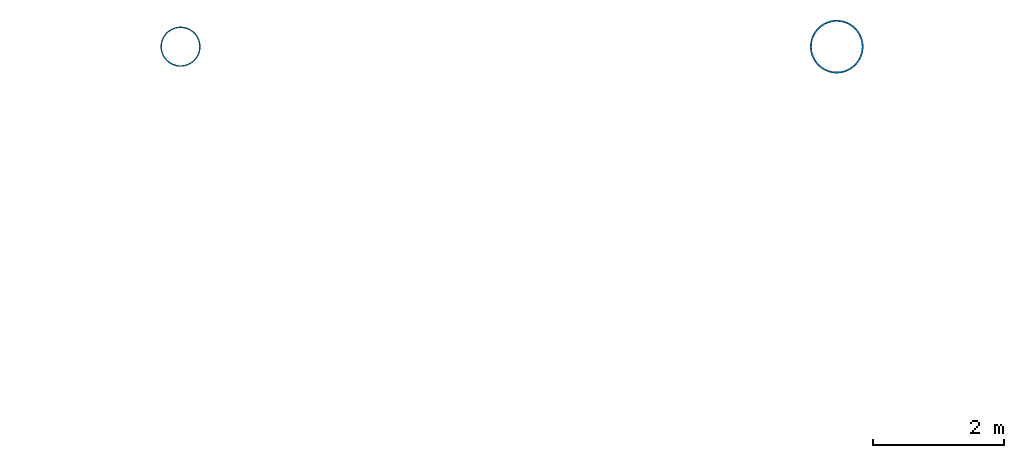
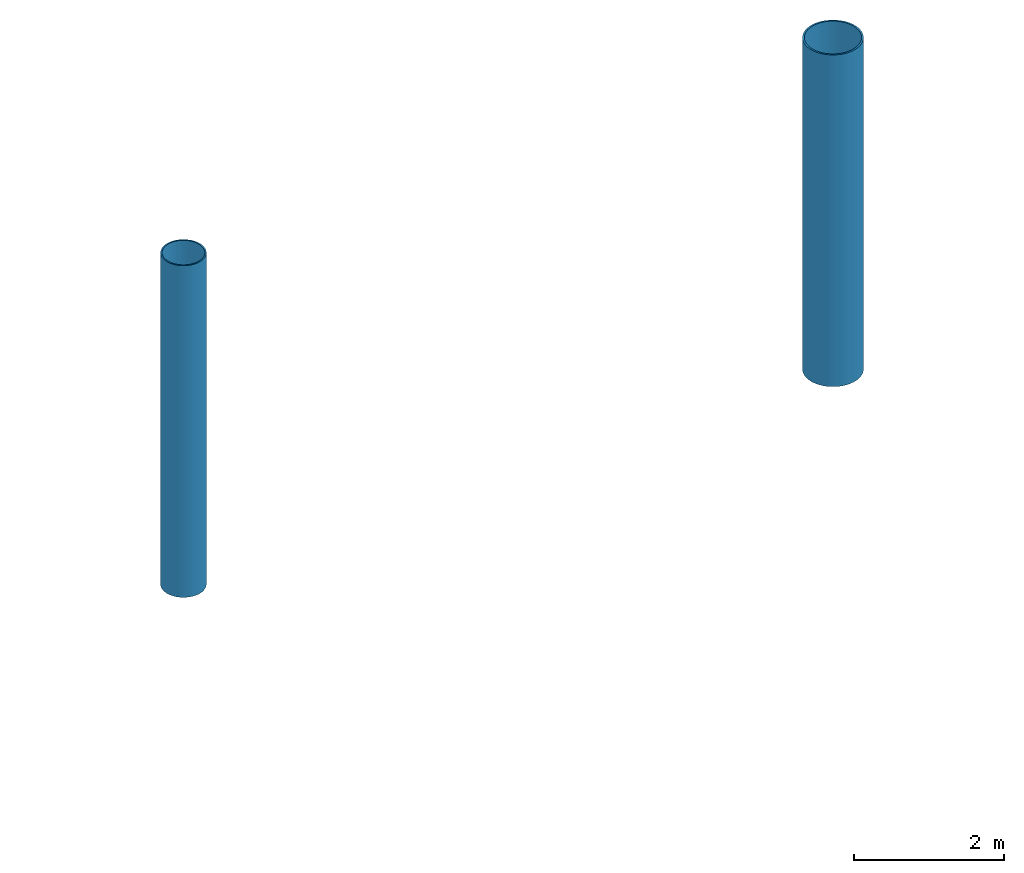
# One storey, part 19 of 176: 2 columns.
"""IFC4 building model written with IfcOpenShell, lengths in metres."""

from ifc_helpers import new_model, si_unit, direction, frame, origin, origin_2d, place, context, subcontext, project, spatial, hollow_circle, extrude, material, material_profile, profile_set, type_object, element, save


model = new_model("IFC4")

# Units and contexts
model_context = context("Model", 3, precision=1e-05, world=origin(), true_north=direction((0.0, 1.0)))
body_context = subcontext(model_context, "Body", "Model", "MODEL_VIEW")
ifc_project = project(units=[si_unit("LENGTHUNIT", "METRE"), si_unit("AREAUNIT", "SQUARE_METRE"), si_unit("VOLUMEUNIT", "CUBIC_METRE"), si_unit("PLANEANGLEUNIT", "RADIAN"), si_unit("MASSUNIT", "GRAM", prefix="KILO")], contexts=[model_context])

# Site, building, storey
site_placement = place(None, origin())
site = spatial("IfcSite", under=ifc_project, at=site_placement, CompositionType="ELEMENT")
building_placement = place(site_placement, origin())
building = spatial("IfcBuilding", under=site, at=building_placement, Name="Khorjan Park Terminus", CompositionType="ELEMENT")
storey_placement = place(building_placement, frame((0.0, 0.0, 6.0)))
storey = spatial("IfcBuildingStorey", under=building, at=storey_placement, Name="L01", CompositionType="ELEMENT", Elevation=6.0)

# Columns
ifc_material = material(Name="Steel S355", Category="steel")
ifc_material_profile_1 = material_profile(ifc_material, hollow_circle(Radius=0.305, WallThickness=0.02, at=origin_2d()), Name="CHS 610x20")
ifc_profile_set_1 = profile_set([ifc_material_profile_1], Name="Steel S355")
column_type_1 = type_object("IfcColumnType", Name="COL-SH610E", PredefinedType="COLUMN", material=ifc_profile_set_1)
column_1_placement = place(storey_placement, frame((148.0, 154.0, 0.0), z_axis=(0.0, 0.0, 1.0), x_axis=(1.0, 0.0, 0.0)))
element("IfcColumn", 1, at=column_1_placement, inside=storey, type_object=column_type_1, Name="Structural column SC-61 (L01 #212)", PredefinedType="COLUMN", context=body_context, shape_type="SweptSolid", body=[
    extrude(hollow_circle(Radius=0.305, WallThickness=0.02, at=origin_2d()), origin(), (0.0, 0.0, 1.0), 5.4),
])
ifc_material_profile_2 = material_profile(ifc_material, hollow_circle(Radius=0.4065, WallThickness=0.025, at=origin_2d()), Name="CHS 813x25")
ifc_profile_set_2 = profile_set([ifc_material_profile_2], Name="Steel S355")
column_type_2 = type_object("IfcColumnType", Name="COL-SH813E", PredefinedType="COLUMN", material=ifc_profile_set_2)
column_2_placement = place(storey_placement, frame((158.0, 154.0, 0.0), z_axis=(0.0, 0.0, 1.0), x_axis=(1.0, 0.0, 0.0)))
element("IfcColumn", 2, at=column_2_placement, inside=storey, type_object=column_type_2, Name="Structural column SC-81 (L01 #224)", PredefinedType="COLUMN", context=body_context, shape_type="SweptSolid", body=[
    extrude(hollow_circle(Radius=0.4065, WallThickness=0.025, at=origin_2d()), origin(), (0.0, 0.0, 1.0), 5.4),
])

save(model, "model.ifc")
